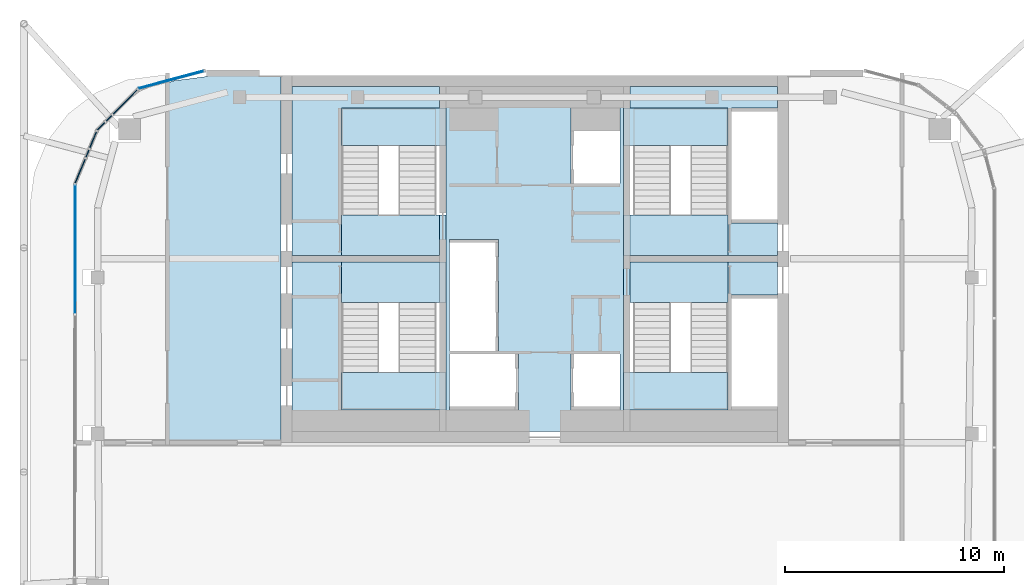
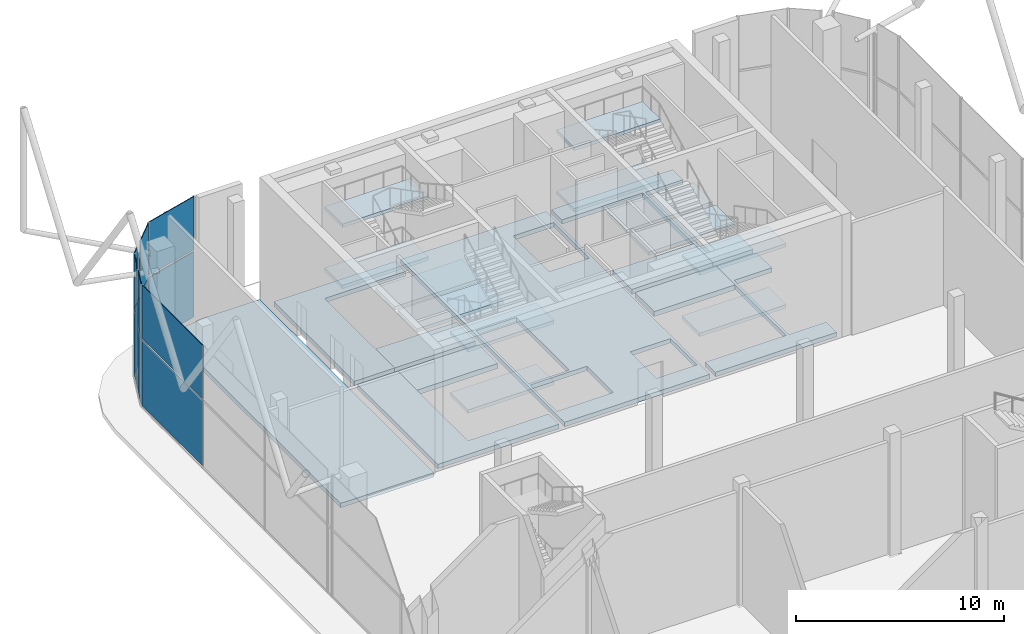
# One storey, part 18 of 25: 22 slabs, 16 plates, 12 elements without a shape of their own.
"""IFC4 building model written with IfcOpenShell, lengths in metres."""

from ifc_helpers import new_model, si_unit, direction, frame, origin, origin_2d, place, context, subcontext, project, spatial, polyline, rectangle, outline, extrude, material, layer, layer_set, type_object, element, aggregate, save


model = new_model("IFC4")

# Units and contexts
model_context = context("Model", 3, precision=1e-05, world=origin(), true_north=direction((0.0, 1.0)))
body_context = subcontext(model_context, "Body", "Model", "MODEL_VIEW")
ifc_project = project(units=[si_unit("LENGTHUNIT", "METRE"), si_unit("AREAUNIT", "SQUARE_METRE"), si_unit("VOLUMEUNIT", "CUBIC_METRE"), si_unit("PLANEANGLEUNIT", "RADIAN"), si_unit("MASSUNIT", "GRAM", prefix="KILO")], contexts=[model_context])

# Site, building, storey
site_placement = place(None, origin())
site = spatial("IfcSite", under=ifc_project, at=site_placement, CompositionType="ELEMENT")
building_placement = place(site_placement, origin())
building = spatial("IfcBuilding", under=site, at=building_placement, Name="Marenta Gate Hotel Tower", CompositionType="ELEMENT")
storey_placement = place(building_placement, frame((0.0, 0.0, 281.300048828125)))
storey = spatial("IfcBuildingStorey", under=building, at=storey_placement, Name="L65", CompositionType="ELEMENT", Elevation=281.300048828125)

# Slabs
ifc_material_1 = material(Name="Concrete C40", Category="concrete")
ifc_layer_1 = layer(ifc_material_1, 0.260009765625)
ifc_layer_set_1 = layer_set([ifc_layer_1], Name="Concrete C40")
slab_type_1 = type_object("IfcSlabType", Name="Core floor slab 260", PredefinedType="FLOOR", material=ifc_layer_set_1)
slab_1_placement = place(storey_placement, frame((0.0, 0.0, -0.260009765625)))
element("IfcSlab", 1, at=slab_1_placement, inside=storey, type_object=slab_type_1, Name="L65-CF-2", PredefinedType="FLOOR", context=body_context, shape_type="SweptSolid", body=[
    extrude(outline(polyline([(8.85009765625, 6.39990234375), (8.85009765625, 8.10009765625), (8.85009765625, 8.25), (11.10009765625, 8.25), (11.10009765625, 6.75), (9.0, 6.75), (9.0, 6.60009765625), (9.0, 4.199951171875), (9.0, 4.050048828125), (9.0, 1.64990234375), (9.0, 1.5), (11.10009765625, 1.5), (11.10009765625, 0.5), (4.35009765625, 0.5), (4.35009765625, 1.5), (8.85009765625, 1.5), (8.85009765625, 6.39990234375)])), origin(), (0.0, 0.0, 1.0), 0.260009765625),
])
slab_2_placement = place(storey_placement, frame((0.0, 0.0, -0.260009765625)))
element("IfcSlab", 2, at=slab_2_placement, inside=storey, type_object=slab_type_1, Name="L65-CF-3", PredefinedType="FLOOR", context=body_context, shape_type="SweptSolid", body=[
    extrude(outline(polyline([(8.85009765625, 15.300048828125), (4.35009765625, 15.300048828125), (4.35009765625, 16.300048828125), (11.10009765625, 16.300048828125), (11.10009765625, 15.300048828125), (9.0, 15.300048828125), (9.0, 15.14990234375), (9.0, 12.75), (9.0, 12.60009765625), (9.0, 10.199951171875), (9.0, 10.050048828125), (11.10009765625, 10.050048828125), (11.10009765625, 8.550048828125), (8.85009765625, 8.550048828125), (8.85009765625, 8.699951171875), (8.85009765625, 10.39990234375), (8.85009765625, 15.300048828125)])), origin(), (0.0, 0.0, 1.0), 0.260009765625),
])
slab_3_placement = place(storey_placement, frame((0.0, 0.0, -0.260009765625)))
element("IfcSlab", 3, at=slab_3_placement, inside=storey, type_object=slab_type_1, Name="L65-CF-4", PredefinedType="FLOOR", context=body_context, shape_type="SweptSolid", body=[
    extrude(outline(polyline([(4.050048828125, 10.39990234375), (4.050048828125, 6.39990234375), (4.050048828125, 1.5), (4.050048828125, 0.5), (-4.050048828125, 0.5), (-4.050048828125, 1.5), (-4.050048828125, 6.39990234375), (-4.050048828125, 10.39990234375), (-4.050048828125, 15.300048828125), (-4.050048828125, 16.300048828125), (4.050048828125, 16.300048828125), (4.050048828125, 15.300048828125), (4.050048828125, 10.39990234375)]), holes=[polyline([(1.64990234375, 11.85009765625), (1.800048828125, 11.85009765625), (3.89990234375, 11.85009765625), (3.89990234375, 14.25), (3.89990234375, 15.300048828125), (1.64990234375, 15.300048828125), (1.64990234375, 14.25), (1.64990234375, 11.85009765625)]), polyline([(3.89990234375, 4.050048828125), (1.800048828125, 4.050048828125), (1.64990234375, 4.050048828125), (1.64990234375, 1.64990234375), (1.64990234375, 1.5), (3.89990234375, 1.5), (3.89990234375, 1.64990234375), (3.89990234375, 4.050048828125)]), polyline([(-3.89990234375, 1.5), (-0.89990234375, 1.5), (-0.75, 1.5), (-0.75, 4.050048828125), (-0.89990234375, 4.050048828125), (-3.89990234375, 4.050048828125), (-3.89990234375, 1.64990234375), (-3.89990234375, 1.5)]), polyline([(-1.64990234375, 4.199951171875), (-1.64990234375, 9.14990234375), (-1.64990234375, 9.300048828125), (-3.89990234375, 9.300048828125), (-3.89990234375, 9.14990234375), (-3.89990234375, 6.75), (-3.89990234375, 6.60009765625), (-3.89990234375, 4.199951171875), (-1.800048828125, 4.199951171875), (-1.64990234375, 4.199951171875)])]), origin(), (0.0, 0.0, 1.0), 0.260009765625),
])
slab_4_placement = place(storey_placement, frame((0.0, 0.0, -0.260009765625)))
element("IfcSlab", 4, at=slab_4_placement, inside=storey, type_object=slab_type_1, Name="L65-CF-5", PredefinedType="FLOOR", context=body_context, shape_type="SweptSolid", body=[
    extrude(outline(polyline([(-8.85009765625, 1.5), (-4.35009765625, 1.5), (-4.35009765625, 0.5), (-11.10009765625, 0.5), (-11.10009765625, 8.25), (-8.85009765625, 8.25), (-8.85009765625, 8.10009765625), (-8.85009765625, 6.39990234375), (-8.85009765625, 1.5)])), origin(), (0.0, 0.0, 1.0), 0.260009765625),
])
slab_5_placement = place(storey_placement, frame((0.0, 0.0, -0.260009765625)))
element("IfcSlab", 5, at=slab_5_placement, inside=storey, type_object=slab_type_1, Name="L65-CF-6", PredefinedType="FLOOR", context=body_context, shape_type="SweptSolid", body=[
    extrude(outline(polyline([(-8.85009765625, 15.300048828125), (-8.85009765625, 10.39990234375), (-8.85009765625, 8.699951171875), (-8.85009765625, 8.550048828125), (-11.10009765625, 8.550048828125), (-11.10009765625, 16.300048828125), (-4.35009765625, 16.300048828125), (-4.35009765625, 15.300048828125), (-8.85009765625, 15.300048828125)])), origin(), (0.0, 0.0, 1.0), 0.260009765625),
])
slab_6_placement = place(storey_placement, frame((0.0, 0.0, -0.260009765625)))
element("IfcSlab", 6, at=slab_6_placement, inside=storey, type_object=slab_type_1, Name="L65-CF-7", PredefinedType="FLOOR", context=body_context, shape_type="SweptSolid", body=[
    extrude(outline(polyline([(-11.60009765625, 0.0), (-16.800048828125, 0.0), (-16.800048828125, 16.439208984375), (-16.539794921875, 16.546875), (-14.993408203125, 16.75048828125), (-14.98876953125, 16.751220703125), (-14.984130859375, 16.752685546875), (-14.9794921875, 16.75439453125), (-14.97509765625, 16.756591796875), (-14.97119140625, 16.75927734375), (-14.96728515625, 16.76220703125), (-14.9638671875, 16.765625), (-14.960693359375, 16.769287109375), (-14.957763671875, 16.773193359375), (-14.955322265625, 16.77734375), (-14.953369140625, 16.78173828125), (-14.951904296875, 16.786376953125), (-14.95068359375, 16.791259765625), (-14.9501953125, 16.7958984375), (-14.949951171875, 16.800048828125), (-11.60009765625, 16.800048828125), (-11.60009765625, 0.0)])), origin(), (0.0, 0.0, 1.0), 0.260009765625),
])

# Stair, slabs
ifc_material_2 = material(Name="Concrete C40", Category="concrete")
stair_type = type_object("IfcStairType", Name="Core exit stair 1700 wide", PredefinedType="HALF_TURN_STAIR", material=ifc_material_2)
stair_1_placement = place(storey_placement, origin())
stair_1 = element("IfcStair", 7, at=stair_1_placement, inside=storey, type_object=stair_type, Name="Exit stair 1", PredefinedType="HALF_TURN_STAIR")
ifc_material_3 = material(Name="Concrete C40", Category="concrete")
ifc_layer_2 = layer(ifc_material_3, 0.199951171875)
ifc_layer_set_2 = layer_set([ifc_layer_2], Name="Concrete C40")
slab_type_2 = type_object("IfcSlabType", Name="Core stair landing 200", PredefinedType="LANDING", material=ifc_layer_set_2)
slab_7_placement = place(storey_placement, frame((0.0, 0.0, 1.599853515625)))
slab_7 = element("IfcSlab", 8, at=slab_7_placement, type_object=slab_type_2, Name="SL-200 ST1 landing 1", PredefinedType="LANDING", context=body_context, shape_type="SweptSolid", body=[
    extrude(outline(polyline([(-8.85009765625, 1.5), (-4.050048828125, 1.5), (-4.050048828125, 3.2099609375), (-8.85009765625, 3.2099609375), (-8.85009765625, 1.5)])), origin(), (0.0, 0.0, 1.0), 0.2001953125),
])
slab_8_placement = place(storey_placement, frame((0.0, 0.0, 3.39990234375)))
slab_8 = element("IfcSlab", 9, at=slab_8_placement, type_object=slab_type_2, Name="SL-200 ST1 landing 2", PredefinedType="LANDING", context=body_context, shape_type="SweptSolid", body=[
    extrude(outline(polyline([(-8.85009765625, 6.39990234375), (-4.050048828125, 6.39990234375), (-4.050048828125, 8.25), (-8.85009765625, 8.25), (-8.85009765625, 6.39990234375)])), origin(), (0.0, 0.0, 1.0), 0.199951171875),
])
slab_9_placement = place(storey_placement, frame((0.0, 0.0, 5.199951171875)))
slab_9 = element("IfcSlab", 10, at=slab_9_placement, type_object=slab_type_2, Name="SL-200 ST1 landing 3", PredefinedType="LANDING", context=body_context, shape_type="SweptSolid", body=[
    extrude(outline(polyline([(-8.85009765625, 1.5), (-4.050048828125, 1.5), (-4.050048828125, 3.2099609375), (-8.85009765625, 3.2099609375), (-8.85009765625, 1.5)])), origin(), (0.0, 0.0, 1.0), 0.199951171875),
])
aggregate(stair_1, [slab_7, slab_8, slab_9])

stair_2_placement = place(storey_placement, origin())
stair_2 = element("IfcStair", 11, at=stair_2_placement, inside=storey, type_object=stair_type, Name="Exit stair 2", PredefinedType="HALF_TURN_STAIR")
slab_10_placement = place(storey_placement, frame((0.0, 0.0, 1.599853515625)))
slab_10 = element("IfcSlab", 12, at=slab_10_placement, type_object=slab_type_2, Name="SL-200 ST2 landing 1", PredefinedType="LANDING", context=body_context, shape_type="SweptSolid", body=[
    extrude(outline(polyline([(-8.85009765625, 13.590087890625), (-4.050048828125, 13.590087890625), (-4.050048828125, 15.300048828125), (-8.85009765625, 15.300048828125), (-8.85009765625, 13.590087890625)])), origin(), (0.0, 0.0, 1.0), 0.2001953125),
])
slab_11_placement = place(storey_placement, frame((0.0, 0.0, 3.39990234375)))
slab_11 = element("IfcSlab", 13, at=slab_11_placement, type_object=slab_type_2, Name="SL-200 ST2 landing 2", PredefinedType="LANDING", context=body_context, shape_type="SweptSolid", body=[
    extrude(outline(polyline([(-8.85009765625, 8.550048828125), (-4.050048828125, 8.550048828125), (-4.050048828125, 10.39990234375), (-8.85009765625, 10.39990234375), (-8.85009765625, 8.550048828125)])), origin(), (0.0, 0.0, 1.0), 0.199951171875),
])
slab_12_placement = place(storey_placement, frame((0.0, 0.0, 5.199951171875)))
slab_12 = element("IfcSlab", 14, at=slab_12_placement, type_object=slab_type_2, Name="SL-200 ST2 landing 3", PredefinedType="LANDING", context=body_context, shape_type="SweptSolid", body=[
    extrude(outline(polyline([(-8.85009765625, 13.590087890625), (-4.050048828125, 13.590087890625), (-4.050048828125, 15.300048828125), (-8.85009765625, 15.300048828125), (-8.85009765625, 13.590087890625)])), origin(), (0.0, 0.0, 1.0), 0.199951171875),
])
aggregate(stair_2, [slab_10, slab_11, slab_12])

stair_3_placement = place(storey_placement, origin())
stair_3 = element("IfcStair", 15, at=stair_3_placement, inside=storey, type_object=stair_type, Name="Exit stair 3", PredefinedType="HALF_TURN_STAIR")
slab_13_placement = place(storey_placement, frame((0.0, 0.0, 1.599853515625)))
slab_13 = element("IfcSlab", 16, at=slab_13_placement, type_object=slab_type_2, Name="SL-200 ST3 landing 1", PredefinedType="LANDING", context=body_context, shape_type="SweptSolid", body=[
    extrude(outline(polyline([(4.050048828125, 1.5), (8.85009765625, 1.5), (8.85009765625, 3.2099609375), (4.050048828125, 3.2099609375), (4.050048828125, 1.5)])), origin(), (0.0, 0.0, 1.0), 0.2001953125),
])
slab_14_placement = place(storey_placement, frame((0.0, 0.0, 3.39990234375)))
slab_14 = element("IfcSlab", 17, at=slab_14_placement, type_object=slab_type_2, Name="SL-200 ST3 landing 2", PredefinedType="LANDING", context=body_context, shape_type="SweptSolid", body=[
    extrude(outline(polyline([(4.050048828125, 6.39990234375), (8.85009765625, 6.39990234375), (8.85009765625, 8.25), (4.050048828125, 8.25), (4.050048828125, 6.39990234375)])), origin(), (0.0, 0.0, 1.0), 0.199951171875),
])
slab_15_placement = place(storey_placement, frame((0.0, 0.0, 5.199951171875)))
slab_15 = element("IfcSlab", 18, at=slab_15_placement, type_object=slab_type_2, Name="SL-200 ST3 landing 3", PredefinedType="LANDING", context=body_context, shape_type="SweptSolid", body=[
    extrude(outline(polyline([(4.050048828125, 1.5), (8.85009765625, 1.5), (8.85009765625, 3.2099609375), (4.050048828125, 3.2099609375), (4.050048828125, 1.5)])), origin(), (0.0, 0.0, 1.0), 0.199951171875),
])
aggregate(stair_3, [slab_13, slab_14, slab_15])

stair_4_placement = place(storey_placement, origin())
stair_4 = element("IfcStair", 19, at=stair_4_placement, inside=storey, type_object=stair_type, Name="Exit stair 4", PredefinedType="HALF_TURN_STAIR")
slab_16_placement = place(storey_placement, frame((0.0, 0.0, 1.599853515625)))
slab_16 = element("IfcSlab", 20, at=slab_16_placement, type_object=slab_type_2, Name="SL-200 ST4 landing 1", PredefinedType="LANDING", context=body_context, shape_type="SweptSolid", body=[
    extrude(outline(polyline([(4.050048828125, 13.590087890625), (8.85009765625, 13.590087890625), (8.85009765625, 15.300048828125), (4.050048828125, 15.300048828125), (4.050048828125, 13.590087890625)])), origin(), (0.0, 0.0, 1.0), 0.2001953125),
])
slab_17_placement = place(storey_placement, frame((0.0, 0.0, 3.39990234375)))
slab_17 = element("IfcSlab", 21, at=slab_17_placement, type_object=slab_type_2, Name="SL-200 ST4 landing 2", PredefinedType="LANDING", context=body_context, shape_type="SweptSolid", body=[
    extrude(outline(polyline([(4.050048828125, 8.550048828125), (8.85009765625, 8.550048828125), (8.85009765625, 10.39990234375), (4.050048828125, 10.39990234375), (4.050048828125, 8.550048828125)])), origin(), (0.0, 0.0, 1.0), 0.199951171875),
])
slab_18_placement = place(storey_placement, frame((0.0, 0.0, 5.199951171875)))
slab_18 = element("IfcSlab", 22, at=slab_18_placement, type_object=slab_type_2, Name="SL-200 ST4 landing 3", PredefinedType="LANDING", context=body_context, shape_type="SweptSolid", body=[
    extrude(outline(polyline([(4.050048828125, 13.590087890625), (8.85009765625, 13.590087890625), (8.85009765625, 15.300048828125), (4.050048828125, 15.300048828125), (4.050048828125, 13.590087890625)])), origin(), (0.0, 0.0, 1.0), 0.199951171875),
])
aggregate(stair_4, [slab_16, slab_17, slab_18])

# Curtain wall, plates
ifc_material_4 = material(Name="Tinted insulated glass in bronze anodised frame", Category="glass")
ifc_layer_3 = layer(ifc_material_4, 0.139892578125)
ifc_layer_set_3 = layer_set([ifc_layer_3], Name="Tinted insulated glass in bronze anodised frame")
curtain_wall_type = type_object("IfcCurtainWallType", Name="Observation deck structural glazing CW3", PredefinedType="NOTDEFINED", material=ifc_layer_set_3)
curtain_wall_1_placement = place(storey_placement, origin())
curtain_wall_1 = element("IfcCurtainWall", 23, at=curtain_wall_1_placement, inside=storey, type_object=curtain_wall_type, Name="CW3 run G00", PredefinedType="NOTDEFINED")
ifc_material_5 = material(Name="Tinted insulated glass", Category="glass")
ifc_layer_4 = layer(ifc_material_5, 0.0439453125)
ifc_layer_set_4 = layer_set([ifc_layer_4], Name="Tinted insulated glass")
plate_type = type_object("IfcPlateType", Name="Glass panel CW3 44 mm tinted insulated unit", PredefinedType="CURTAIN_PANEL", material=ifc_layer_set_4)
plate_1_placement = place(storey_placement, frame((-16.636962890625, 16.597900390625, 0.099853515625), z_axis=(0.0, 0.0, 1.0), x_axis=(-0.965930292638, -0.258802375884, 0.0)))
plate_1 = element("IfcPlate", 24, at=plate_1_placement, type_object=plate_type, Name="CW3 panel 1.1", PredefinedType="CURTAIN_PANEL", context=body_context, shape_type="SweptSolid", body=[
    extrude(rectangle(XDim=3.06689453125, YDim=0.0439453125, at=origin_2d()), origin(), (0.0, 0.0, 1.0), 3.85009765625),
])
plate_2_placement = place(storey_placement, frame((-16.636962890625, 16.597900390625, 4.050048828125), z_axis=(0.0, 0.0, 1.0), x_axis=(-0.965930292638, -0.258802375884, 0.0)))
plate_2 = element("IfcPlate", 25, at=plate_2_placement, type_object=plate_type, Name="CW3 panel 1.2", PredefinedType="CURTAIN_PANEL", context=body_context, shape_type="SweptSolid", body=[
    extrude(rectangle(XDim=3.06689453125, YDim=0.0439453125, at=origin_2d()), origin(), (0.0, 0.0, 1.0), 3.14990234375),
])
aggregate(curtain_wall_1, [plate_1, plate_2])

curtain_wall_2_placement = place(storey_placement, origin())
curtain_wall_2 = element("IfcCurtainWall", 26, at=curtain_wall_2_placement, inside=storey, type_object=curtain_wall_type, Name="CW3 run G01", PredefinedType="NOTDEFINED")
plate_3_placement = place(storey_placement, frame((-18.735595703125, 15.58349609375, 0.099853515625), z_axis=(0.0, 0.0, 1.0), x_axis=(-0.707076410443, -0.707137150626, 0.0)))
plate_3 = element("IfcPlate", 27, at=plate_3_placement, type_object=plate_type, Name="CW3 panel 1.1", PredefinedType="CURTAIN_PANEL", context=body_context, shape_type="SweptSolid", body=[
    extrude(rectangle(XDim=1.54638671875, YDim=0.0439453125, at=origin_2d()), origin(), (0.0, 0.0, 1.0), 3.85009765625),
])
plate_4_placement = place(storey_placement, frame((-18.735595703125, 15.58349609375, 4.050048828125), z_axis=(0.0, 0.0, 1.0), x_axis=(-0.707076410443, -0.707137150626, 0.0)))
plate_4 = element("IfcPlate", 28, at=plate_4_placement, type_object=plate_type, Name="CW3 panel 1.2", PredefinedType="CURTAIN_PANEL", context=body_context, shape_type="SweptSolid", body=[
    extrude(rectangle(XDim=1.54638671875, YDim=0.0439453125, at=origin_2d()), origin(), (0.0, 0.0, 1.0), 3.14990234375),
])
aggregate(curtain_wall_2, [plate_3, plate_4])

curtain_wall_3_placement = place(storey_placement, origin())
curtain_wall_3 = element("IfcCurtainWall", 29, at=curtain_wall_3_placement, inside=storey, type_object=curtain_wall_type, Name="CW3 run G02", PredefinedType="NOTDEFINED")
plate_5_placement = place(storey_placement, frame((-19.477783203125, 14.84130859375, 0.099853515625), z_axis=(0.0, 0.0, 1.0), x_axis=(-0.707217034059, -0.706996511121, 0.0)))
plate_5 = element("IfcPlate", 30, at=plate_5_placement, type_object=plate_type, Name="CW3 panel 1.1", PredefinedType="CURTAIN_PANEL", context=body_context, shape_type="SweptSolid", body=[
    extrude(rectangle(XDim=0.353515625, YDim=0.0439453125, at=origin_2d()), origin(), (0.0, 0.0, 1.0), 3.85009765625),
])
plate_6_placement = place(storey_placement, frame((-19.477783203125, 14.84130859375, 4.0498046875), z_axis=(0.0, 0.0, 1.0), x_axis=(-0.707217034059, -0.706996511121, 0.0)))
plate_6 = element("IfcPlate", 31, at=plate_6_placement, type_object=plate_type, Name="CW3 panel 1.2", PredefinedType="CURTAIN_PANEL", context=body_context, shape_type="SweptSolid", body=[
    extrude(rectangle(XDim=0.353515625, YDim=0.0439453125, at=origin_2d()), origin(), (0.0, 0.0, 1.0), 2.550537109375),
])
aggregate(curtain_wall_3, [plate_5, plate_6])

curtain_wall_4_placement = place(storey_placement, origin())
curtain_wall_4 = element("IfcCurtainWall", 32, at=curtain_wall_4_placement, inside=storey, type_object=curtain_wall_type, Name="CW3 run G03", PredefinedType="NOTDEFINED")
plate_7_placement = place(storey_placement, frame((-19.843017578125, 14.476318359375, 0.099853515625), z_axis=(0.0, 0.0, 1.0), x_axis=(-0.707020406453, -0.707193145371, 0.0)))
plate_7 = element("IfcPlate", 33, at=plate_7_placement, type_object=plate_type, Name="CW3 panel 1.1", PredefinedType="CURTAIN_PANEL", context=body_context, shape_type="SweptSolid", body=[
    extrude(rectangle(XDim=0.47900390625, YDim=0.0439453125, at=origin_2d()), origin(), (0.0, 0.0, 1.0), 3.85009765625),
])
plate_8_placement = place(storey_placement, frame((-19.843017578125, 14.476318359375, 4.050048828125), z_axis=(0.0, 0.0, 1.0), x_axis=(-0.707020406453, -0.707193145371, 0.0)))
plate_8 = element("IfcPlate", 34, at=plate_8_placement, type_object=plate_type, Name="CW3 panel 1.2", PredefinedType="CURTAIN_PANEL", context=body_context, shape_type="SweptSolid", body=[
    extrude(rectangle(XDim=0.47900390625, YDim=0.0439453125, at=origin_2d()), origin(), (0.0, 0.0, 1.0), 3.14990234375),
])
aggregate(curtain_wall_4, [plate_7, plate_8])

curtain_wall_5_placement = place(storey_placement, origin())
curtain_wall_5 = element("IfcCurtainWall", 35, at=curtain_wall_5_placement, inside=storey, type_object=curtain_wall_type, Name="CW3 run G04", PredefinedType="NOTDEFINED")
plate_9_placement = place(storey_placement, frame((-20.202880859375, 13.84619140625, 0.099853515625), z_axis=(0.0, 0.0, 1.0), x_axis=(-0.382699562223, -0.923872851141, 0.0)))
plate_9 = element("IfcPlate", 36, at=plate_9_placement, type_object=plate_type, Name="CW3 panel 1.1", PredefinedType="CURTAIN_PANEL", context=body_context, shape_type="SweptSolid", body=[
    extrude(rectangle(XDim=0.79736328125, YDim=0.0439453125, at=origin_2d()), origin(), (0.0, 0.0, 1.0), 3.85009765625),
])
plate_10_placement = place(storey_placement, frame((-20.202880859375, 13.84619140625, 4.050048828125), z_axis=(0.0, 0.0, 1.0), x_axis=(-0.382699562223, -0.923872851141, 0.0)))
plate_10 = element("IfcPlate", 37, at=plate_10_placement, type_object=plate_type, Name="CW3 panel 1.2", PredefinedType="CURTAIN_PANEL", context=body_context, shape_type="SweptSolid", body=[
    extrude(rectangle(XDim=0.79736328125, YDim=0.0439453125, at=origin_2d()), origin(), (0.0, 0.0, 1.0), 3.14990234375),
])
aggregate(curtain_wall_5, [plate_9, plate_10])

curtain_wall_6_placement = place(storey_placement, origin())
curtain_wall_6 = element("IfcCurtainWall", 38, at=curtain_wall_6_placement, inside=storey, type_object=curtain_wall_type, Name="CW3 run G05", PredefinedType="NOTDEFINED")
plate_11_placement = place(storey_placement, frame((-20.462158203125, 13.220703125, 0.099853515625), z_axis=(0.0, 0.0, 1.0), x_axis=(-0.382641626167, -0.923896848097, 0.0)))
plate_11 = element("IfcPlate", 39, at=plate_11_placement, type_object=plate_type, Name="CW3 panel 1.1", PredefinedType="CURTAIN_PANEL", context=body_context, shape_type="SweptSolid", body=[
    extrude(rectangle(XDim=0.357177734375, YDim=0.0439453125, at=origin_2d()), origin(), (0.0, 0.0, 1.0), 3.85009765625),
])
plate_12_placement = place(storey_placement, frame((-20.462158203125, 13.220703125, 4.0498046875), z_axis=(0.0, 0.0, 1.0), x_axis=(-0.382641626167, -0.923896848097, 0.0)))
plate_12 = element("IfcPlate", 40, at=plate_12_placement, type_object=plate_type, Name="CW3 panel 1.2", PredefinedType="CURTAIN_PANEL", context=body_context, shape_type="SweptSolid", body=[
    extrude(rectangle(XDim=0.357177734375, YDim=0.0439453125, at=origin_2d()), origin(), (0.0, 0.0, 1.0), 2.550537109375),
])
aggregate(curtain_wall_6, [plate_11, plate_12])

curtain_wall_7_placement = place(storey_placement, origin())
curtain_wall_7 = element("IfcCurtainWall", 41, at=curtain_wall_7_placement, inside=storey, type_object=curtain_wall_type, Name="CW3 run G06", PredefinedType="NOTDEFINED")
plate_13_placement = place(storey_placement, frame((-20.79541015625, 12.415771484375, 0.099853515625), z_axis=(0.0, 0.0, 1.0), x_axis=(-0.382658737206, -0.923889761195, 0.0)))
plate_13 = element("IfcPlate", 42, at=plate_13_placement, type_object=plate_type, Name="CW3 panel 1.1", PredefinedType="CURTAIN_PANEL", context=body_context, shape_type="SweptSolid", body=[
    extrude(rectangle(XDim=1.185302734375, YDim=0.0439453125, at=origin_2d()), origin(), (0.0, 0.0, 1.0), 3.85009765625),
])
plate_14_placement = place(storey_placement, frame((-20.79541015625, 12.415771484375, 4.050048828125), z_axis=(0.0, 0.0, 1.0), x_axis=(-0.382658737206, -0.923889761195, 0.0)))
plate_14 = element("IfcPlate", 43, at=plate_14_placement, type_object=plate_type, Name="CW3 panel 1.2", PredefinedType="CURTAIN_PANEL", context=body_context, shape_type="SweptSolid", body=[
    extrude(rectangle(XDim=1.185302734375, YDim=0.0439453125, at=origin_2d()), origin(), (0.0, 0.0, 1.0), 3.14990234375),
])
aggregate(curtain_wall_7, [plate_13, plate_14])

curtain_wall_8_placement = place(storey_placement, origin())
curtain_wall_8 = element("IfcCurtainWall", 44, at=curtain_wall_8_placement, inside=storey, type_object=curtain_wall_type, Name="CW3 run G07", PredefinedType="NOTDEFINED")
plate_15_placement = place(storey_placement, frame((-21.027099609375, 8.844482421875, 0.099853515625), z_axis=(0.0, 0.0, 1.0), x_axis=(-0.001567387476, -0.999998771647, 0.0)))
plate_15 = element("IfcPlate", 45, at=plate_15_placement, type_object=plate_type, Name="CW3 panel 1.1", PredefinedType="CURTAIN_PANEL", context=body_context, shape_type="SweptSolid", body=[
    extrude(rectangle(XDim=5.84716796875, YDim=0.0439453125, at=origin_2d()), origin(), (0.0, 0.0, 1.0), 3.85009765625),
])
plate_16_placement = place(storey_placement, frame((-21.027099609375, 8.844482421875, 4.050048828125), z_axis=(0.0, 0.0, 1.0), x_axis=(-0.001567387476, -0.999998771647, 0.0)))
plate_16 = element("IfcPlate", 46, at=plate_16_placement, type_object=plate_type, Name="CW3 panel 1.2", PredefinedType="CURTAIN_PANEL", context=body_context, shape_type="SweptSolid", body=[
    extrude(rectangle(XDim=5.84716796875, YDim=0.0439453125, at=origin_2d()), origin(), (0.0, 0.0, 1.0), 3.14990234375),
])
aggregate(curtain_wall_8, [plate_15, plate_16])

# Slabs
ifc_material_6 = material(Name="Concrete C40", Category="concrete")
ifc_layer_5 = layer(ifc_material_6, 0.300048828125)
ifc_layer_set_5 = layer_set([ifc_layer_5], Name="Concrete C40")
slab_type_3 = type_object("IfcSlabType", Name="Stair floor landing slab 300", PredefinedType="FLOOR", material=ifc_layer_set_5)
slab_19_placement = place(storey_placement, frame((0.0, 0.0, -0.300048828125)))
element("IfcSlab", 47, at=slab_19_placement, inside=storey, type_object=slab_type_3, Name="L65-CL-ST1-1", PredefinedType="FLOOR", context=body_context, shape_type="SweptSolid", body=[
    extrude(outline(polyline([(-4.35009765625, 6.39990234375), (-8.85009765625, 6.39990234375), (-8.85009765625, 8.10009765625), (-8.85009765625, 8.25), (-4.35009765625, 8.25), (-4.35009765625, 6.39990234375)])), origin(), (0.0, 0.0, 1.0), 0.300048828125),
])
slab_20_placement = place(storey_placement, frame((0.0, 0.0, -0.300048828125)))
element("IfcSlab", 48, at=slab_20_placement, inside=storey, type_object=slab_type_3, Name="L65-CL-ST2-1", PredefinedType="FLOOR", context=body_context, shape_type="SweptSolid", body=[
    extrude(outline(polyline([(-4.35009765625, 8.550048828125), (-8.85009765625, 8.550048828125), (-8.85009765625, 8.699951171875), (-8.85009765625, 10.39990234375), (-4.35009765625, 10.39990234375), (-4.35009765625, 8.550048828125)])), origin(), (0.0, 0.0, 1.0), 0.300048828125),
])
slab_21_placement = place(storey_placement, frame((0.0, 0.0, -0.300048828125)))
element("IfcSlab", 49, at=slab_21_placement, inside=storey, type_object=slab_type_3, Name="L65-CL-ST3-1", PredefinedType="FLOOR", context=body_context, shape_type="SweptSolid", body=[
    extrude(outline(polyline([(4.35009765625, 6.39990234375), (4.35009765625, 8.25), (8.85009765625, 8.25), (8.85009765625, 8.10009765625), (8.85009765625, 6.39990234375), (4.35009765625, 6.39990234375)])), origin(), (0.0, 0.0, 1.0), 0.300048828125),
])
slab_22_placement = place(storey_placement, frame((0.0, 0.0, -0.300048828125)))
element("IfcSlab", 50, at=slab_22_placement, inside=storey, type_object=slab_type_3, Name="L65-CL-ST4-1", PredefinedType="FLOOR", context=body_context, shape_type="SweptSolid", body=[
    extrude(outline(polyline([(4.35009765625, 8.550048828125), (4.35009765625, 10.39990234375), (8.85009765625, 10.39990234375), (8.85009765625, 8.699951171875), (8.85009765625, 8.550048828125), (4.35009765625, 8.550048828125)])), origin(), (0.0, 0.0, 1.0), 0.300048828125),
])

save(model, "model.ifc")
